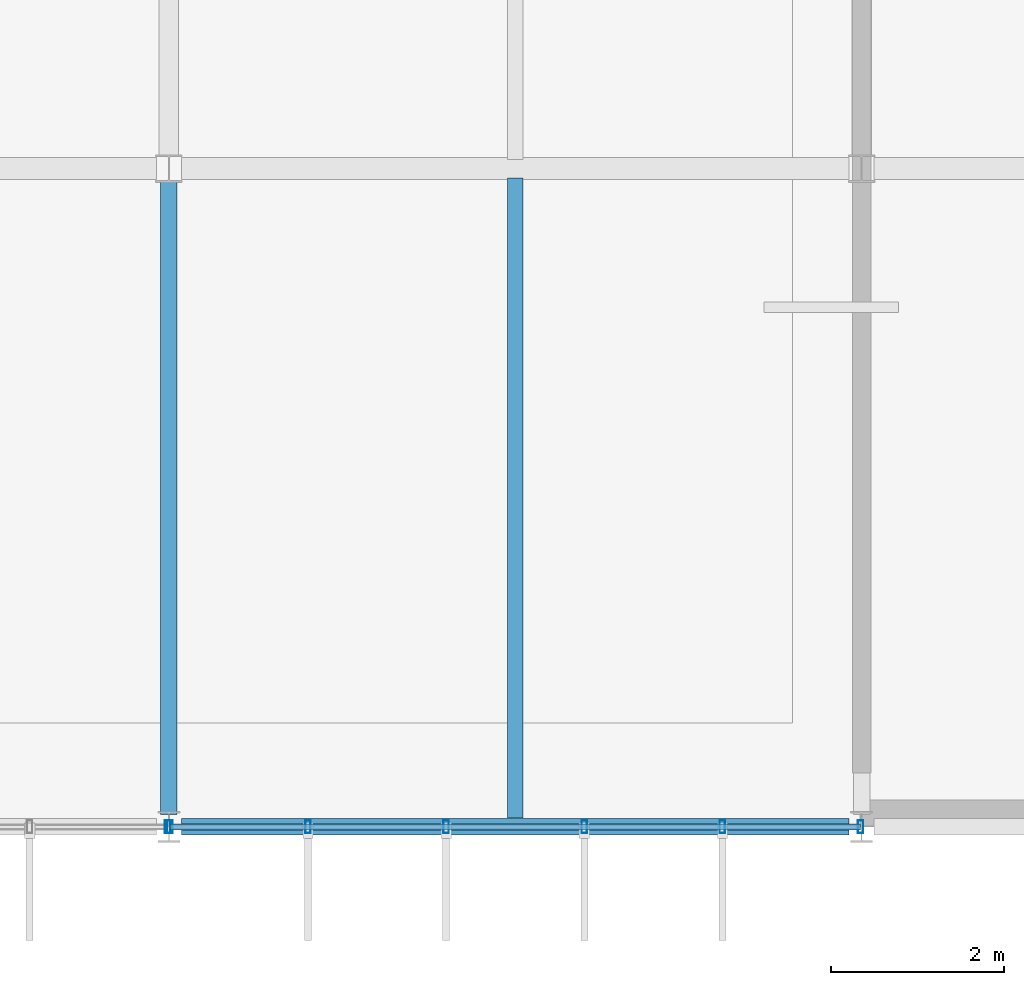
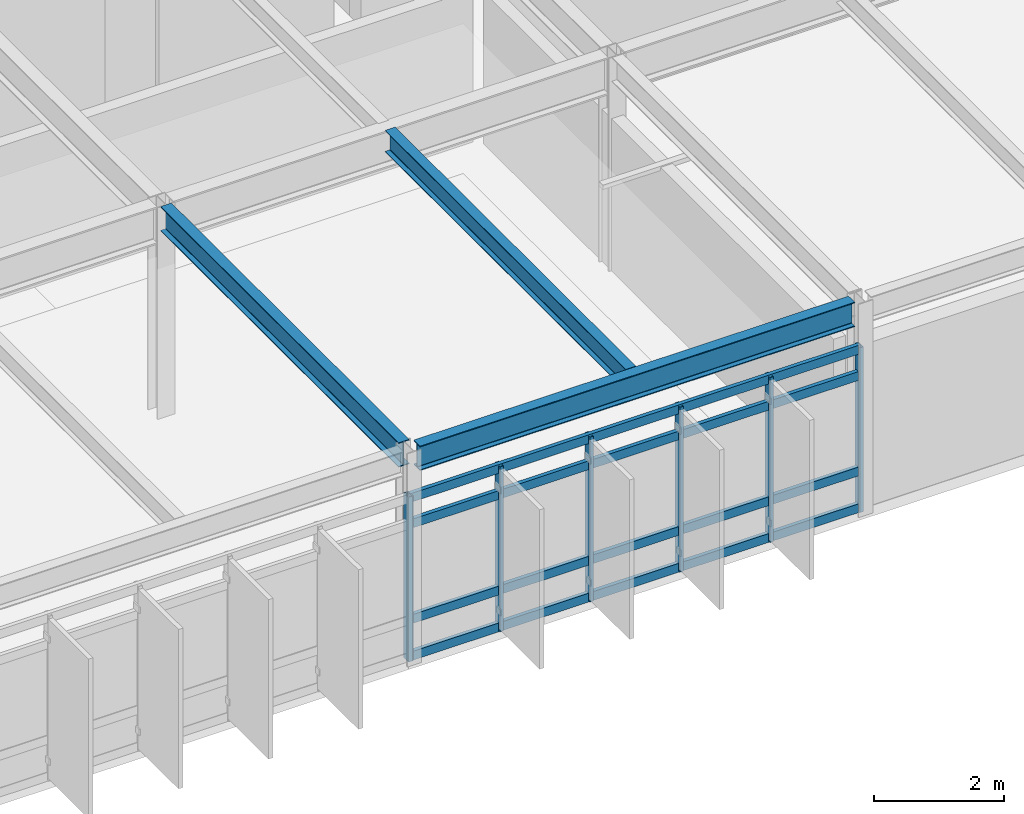
# One storey, part 6 of 17: 11 members, 3 beams, 2 elements without a shape of their own.
"""IFC4 building model written with IfcOpenShell, lengths in metres."""

from ifc_helpers import new_model, si_unit, direction, frame, origin, origin_2d, place, context, subcontext, project, spatial, hollow_rectangle, i_section, extrude, material, material_profile, profile_set, type_object, element, aggregate, save


model = new_model("IFC4")

# Units and contexts
model_context = context("Model", 3, precision=1e-05, world=origin(), true_north=direction((0.0, 1.0)))
body_context = subcontext(model_context, "Body", "Model", "MODEL_VIEW")
ifc_project = project(units=[si_unit("LENGTHUNIT", "METRE"), si_unit("AREAUNIT", "SQUARE_METRE"), si_unit("VOLUMEUNIT", "CUBIC_METRE"), si_unit("PLANEANGLEUNIT", "RADIAN"), si_unit("MASSUNIT", "GRAM", prefix="KILO")], contexts=[model_context])

# Site, building, storey
site_placement = place(None, origin())
site = spatial("IfcSite", under=ifc_project, at=site_placement, CompositionType="ELEMENT")
building_placement = place(site_placement, origin())
building = spatial("IfcBuilding", under=site, at=building_placement, Name="Zulena Civic Courthouse", CompositionType="ELEMENT")
storey_placement = place(building_placement, frame((0.0, 0.0, 42.0)))
storey = spatial("IfcBuildingStorey", under=building, at=storey_placement, Name="L09", CompositionType="ELEMENT", Elevation=42.0)

# Curtain wall, members
ifc_material_1 = material(Name="Double-silver low-E laminated solar-control glass", Category="glass")
curtain_wall_type = type_object("IfcCurtainWallType", Name="CW_7976x3090", PredefinedType="USERDEFINED", material=ifc_material_1)
curtain_wall_1_placement = place(storey_placement, origin())
curtain_wall_1 = element("IfcCurtainWall", 1, at=curtain_wall_1_placement, inside=storey, type_object=curtain_wall_type, Name="cw:V2:L09:3:3", ObjectType="UNITISED CURTAIN WALL", PredefinedType="USERDEFINED")
ifc_material_2 = material(Name="Bronze anodised thermally broken aluminium AA6063-T6", Category="aluminium")
ifc_material_profile_1 = material_profile(ifc_material_2, hollow_rectangle(XDim=0.06494140625, YDim=0.14990234375, WallThickness=0.00390625, at=origin_2d()), Name="CWM150X65X4")
ifc_profile_set_1 = profile_set([ifc_material_profile_1], Name="Bronze anodised thermally broken aluminium AA6063-T6")
member_type_1 = type_object("IfcMemberType", Name="CWMullion_150x65", PredefinedType="MULLION", material=ifc_profile_set_1)
member_1_placement = place(storey_placement, frame((43.988037109375, 0.0, 0.0), z_axis=(0.0, 0.0, 1.0), x_axis=(1.0, 0.0, 0.0)))
member_1 = element("IfcMember", 2, at=member_1_placement, type_object=member_type_1, Name="cw:V2:L09:3:3:mull:0", PredefinedType="MULLION", context=body_context, shape_type="SweptSolid", body=[
    extrude(hollow_rectangle(XDim=0.06494140625, YDim=0.14990234375, WallThickness=0.00390625, at=origin_2d()), origin(), (0.0, 0.0, 1.0), 3.090087890625),
])
member_2_placement = place(storey_placement, frame((42.392822265625, 0.0, 0.0), z_axis=(0.0, 0.0, 1.0), x_axis=(1.0, 0.0, 0.0)))
member_2 = element("IfcMember", 3, at=member_2_placement, type_object=member_type_1, Name="cw:V2:L09:3:3:mull:1", PredefinedType="MULLION", context=body_context, shape_type="SweptSolid", body=[
    extrude(hollow_rectangle(XDim=0.06494140625, YDim=0.14990234375, WallThickness=0.00390625, at=origin_2d()), origin(), (0.0, 0.0, 1.0), 3.090087890625),
])
member_3_placement = place(storey_placement, frame((40.797607421875, 0.0, 0.0), z_axis=(0.0, 0.0, 1.0), x_axis=(1.0, 0.0, 0.0)))
member_3 = element("IfcMember", 4, at=member_3_placement, type_object=member_type_1, Name="cw:V2:L09:3:3:mull:2", PredefinedType="MULLION", context=body_context, shape_type="SweptSolid", body=[
    extrude(hollow_rectangle(XDim=0.06494140625, YDim=0.14990234375, WallThickness=0.00390625, at=origin_2d()), origin(), (0.0, 0.0, 1.0), 3.090087890625),
])
member_4_placement = place(storey_placement, frame((39.202392578125, 0.0, 0.0), z_axis=(0.0, 0.0, 1.0), x_axis=(1.0, 0.0, 0.0)))
member_4 = element("IfcMember", 5, at=member_4_placement, type_object=member_type_1, Name="cw:V2:L09:3:3:mull:3", PredefinedType="MULLION", context=body_context, shape_type="SweptSolid", body=[
    extrude(hollow_rectangle(XDim=0.06494140625, YDim=0.14990234375, WallThickness=0.00390625, at=origin_2d()), origin(), (0.0, 0.0, 1.0), 3.090087890625),
])
member_5_placement = place(storey_placement, frame((37.607177734375, 0.0, 0.0), z_axis=(0.0, 0.0, 1.0), x_axis=(1.0, 0.0, 0.0)))
member_5 = element("IfcMember", 6, at=member_5_placement, type_object=member_type_1, Name="cw:V2:L09:3:3:mull:4", PredefinedType="MULLION", context=body_context, shape_type="SweptSolid", body=[
    extrude(hollow_rectangle(XDim=0.06494140625, YDim=0.14990234375, WallThickness=0.00390625, at=origin_2d()), origin(), (0.0, 0.0, 1.0), 3.090087890625),
])
member_6_placement = place(storey_placement, frame((36.011962890625, 0.0, 0.0), z_axis=(0.0, 0.0, 1.0), x_axis=(1.0, 0.0, 0.0)))
member_6 = element("IfcMember", 7, at=member_6_placement, type_object=member_type_1, Name="cw:V2:L09:3:3:mull:5", PredefinedType="MULLION", context=body_context, shape_type="SweptSolid", body=[
    extrude(hollow_rectangle(XDim=0.06494140625, YDim=0.14990234375, WallThickness=0.00390625, at=origin_2d()), origin(), (0.0, 0.0, 1.0), 3.090087890625),
])

# Curtain wall, member
curtain_wall_2_placement = place(storey_placement, origin())
curtain_wall_2 = element("IfcCurtainWall", 8, at=curtain_wall_2_placement, inside=storey, type_object=curtain_wall_type, Name="cw:V2:L09:3:4", ObjectType="UNITISED CURTAIN WALL", PredefinedType="USERDEFINED")
member_7_placement = place(storey_placement, frame((35.988037109375, 0.0, 0.0), z_axis=(0.0, 0.0, 1.0), x_axis=(1.0, 0.0, 0.0)))
member_7 = element("IfcMember", 9, at=member_7_placement, type_object=member_type_1, Name="cw:V2:L09:3:4:mull:0", PredefinedType="MULLION", context=body_context, shape_type="SweptSolid", body=[
    extrude(hollow_rectangle(XDim=0.06494140625, YDim=0.14990234375, WallThickness=0.00390625, at=origin_2d()), origin(), (0.0, 0.0, 1.0), 3.090087890625),
])
aggregate(curtain_wall_2, [member_7])

# Member
ifc_material_profile_2 = material_profile(ifc_material_2, hollow_rectangle(XDim=0.070068359375, YDim=0.1650390625, WallThickness=0.00390625, at=origin_2d()), Name="CWT165X70X4")
ifc_profile_set_2 = profile_set([ifc_material_profile_2], Name="Bronze anodised thermally broken aluminium AA6063-T6")
member_type_2 = type_object("IfcMemberType", Name="CWTransom_165x70", PredefinedType="USERDEFINED", material=ifc_profile_set_2)
member_8_placement = place(storey_placement, frame((43.988037109375, 0.0, 0.06005859375), z_axis=(-1.0, 0.0, 0.0), x_axis=(0.0, -1.0, 0.0)))
member_8 = element("IfcMember", 10, at=member_8_placement, type_object=member_type_2, Name="cw:V2:L09:3:3:tran:0", ObjectType="TRANSOM", PredefinedType="USERDEFINED", context=body_context, shape_type="SweptSolid", body=[
    extrude(hollow_rectangle(XDim=0.070068359375, YDim=0.1650390625, WallThickness=0.00390625, at=origin_2d()), origin(), (0.0, 0.0, 1.0), 7.97607421875),
])

member_9_placement = place(storey_placement, frame((43.988037109375, 0.0, 0.75), z_axis=(-1.0, 0.0, 0.0), x_axis=(0.0, -1.0, 0.0)))
member_9 = element("IfcMember", 11, at=member_9_placement, type_object=member_type_2, Name="cw:V2:L09:3:3:tran:1", ObjectType="TRANSOM", PredefinedType="USERDEFINED", context=body_context, shape_type="SweptSolid", body=[
    extrude(hollow_rectangle(XDim=0.070068359375, YDim=0.1650390625, WallThickness=0.00390625, at=origin_2d()), origin(), (0.0, 0.0, 1.0), 7.97607421875),
])

member_10_placement = place(storey_placement, frame((43.988037109375, 0.0, 2.5400390625), z_axis=(-1.0, 0.0, 0.0), x_axis=(0.0, -1.0, 0.0)))
member_10 = element("IfcMember", 12, at=member_10_placement, type_object=member_type_2, Name="cw:V2:L09:3:3:tran:2", ObjectType="TRANSOM", PredefinedType="USERDEFINED", context=body_context, shape_type="SweptSolid", body=[
    extrude(hollow_rectangle(XDim=0.070068359375, YDim=0.1650390625, WallThickness=0.00390625, at=origin_2d()), origin(), (0.0, 0.0, 1.0), 7.97607421875),
])

member_11_placement = place(storey_placement, frame((43.988037109375, 0.0, 3.030029296875), z_axis=(-1.0, 0.0, 0.0), x_axis=(0.0, -1.0, 0.0)))
member_11 = element("IfcMember", 13, at=member_11_placement, type_object=member_type_2, Name="cw:V2:L09:3:3:tran:3", ObjectType="TRANSOM", PredefinedType="USERDEFINED", context=body_context, shape_type="SweptSolid", body=[
    extrude(hollow_rectangle(XDim=0.070068359375, YDim=0.1650390625, WallThickness=0.00390625, at=origin_2d()), origin(), (0.0, 0.0, 1.0), 7.97607421875),
])

aggregate(curtain_wall_1, [member_1, member_2, member_3, member_4, member_5, member_6, member_8, member_9, member_10, member_11])

# Beams
ifc_material_3 = material(Name="Steel ASTM A992 Grade 50", Category="steel")
ifc_material_profile_3 = material_profile(ifc_material_3, i_section(OverallWidth=0.177978515625, OverallDepth=0.406005859375, WebThickness=0.0078125, FlangeThickness=0.0126953125, FilletRadius=0.01025390625, at=origin_2d()), Name="W16X40")
ifc_profile_set_3 = profile_set([ifc_material_profile_3], Name="Steel ASTM A992 Grade 50")
beam_type_1 = type_object("IfcBeamType", Name="Joist_W16X40", PredefinedType="JOIST", material=ifc_profile_set_3)
beam_1_placement = place(storey_placement, frame((40.0, 0.10498046875, 3.7919921875), z_axis=(0.0, 1.0, 0.0), x_axis=(-1.0, 0.0, 0.0)))
element("IfcBeam", 14, at=beam_1_placement, inside=storey, type_object=beam_type_1, Name="joist:V2:L09:40.00:0.0_7.6", PredefinedType="JOIST", context=body_context, shape_type="SweptSolid", body=[
    extrude(i_section(OverallWidth=0.177978515625, OverallDepth=0.406005859375, WebThickness=0.0078125, FlangeThickness=0.0126953125, FilletRadius=0.01025390625, at=origin_2d()), origin(), (0.0, 0.0, 1.0), 7.39013671875),
])
ifc_material_profile_4 = material_profile(ifc_material_3, i_section(OverallWidth=0.19091796875, OverallDepth=0.4599609375, WebThickness=0.010009765625, FlangeThickness=0.01611328125, FilletRadius=0.01025390625, at=origin_2d()), Name="W18X55")
ifc_profile_set_4 = profile_set([ifc_material_profile_4], Name="Steel ASTM A992 Grade 50")
beam_type_2 = type_object("IfcBeamType", Name="Spandrel_W18X55", PredefinedType="SPANDREL", material=ifc_profile_set_4)
beam_2_placement = place(storey_placement, frame((36.14501953125, 0.0, 3.764892578125), z_axis=(1.0, 0.0, 0.0), x_axis=(0.0, 1.0, 0.0)))
element("IfcBeam", 15, at=beam_2_placement, inside=storey, type_object=beam_type_2, Name="beam:X:V2:L09:0.0:36.0_44.0", PredefinedType="SPANDREL", context=body_context, shape_type="SweptSolid", body=[
    extrude(i_section(OverallWidth=0.19091796875, OverallDepth=0.4599609375, WebThickness=0.010009765625, FlangeThickness=0.01611328125, FilletRadius=0.01025390625, at=origin_2d()), origin(), (0.0, 0.0, 1.0), 7.7099609375),
])
beam_3_placement = place(storey_placement, frame((36.0, 0.14501953125, 3.764892578125), z_axis=(0.0, 1.0, 0.0), x_axis=(-1.0, 0.0, 0.0)))
element("IfcBeam", 16, at=beam_3_placement, inside=storey, type_object=beam_type_2, Name="beam:Y:V2:L09:36.0:0.0_7.6", PredefinedType="SPANDREL", context=body_context, shape_type="SweptSolid", body=[
    extrude(i_section(OverallWidth=0.19091796875, OverallDepth=0.4599609375, WebThickness=0.010009765625, FlangeThickness=0.01611328125, FilletRadius=0.01025390625, at=origin_2d()), origin(), (0.0, 0.0, 1.0), 7.31005859375),
])

save(model, "model.ifc")
